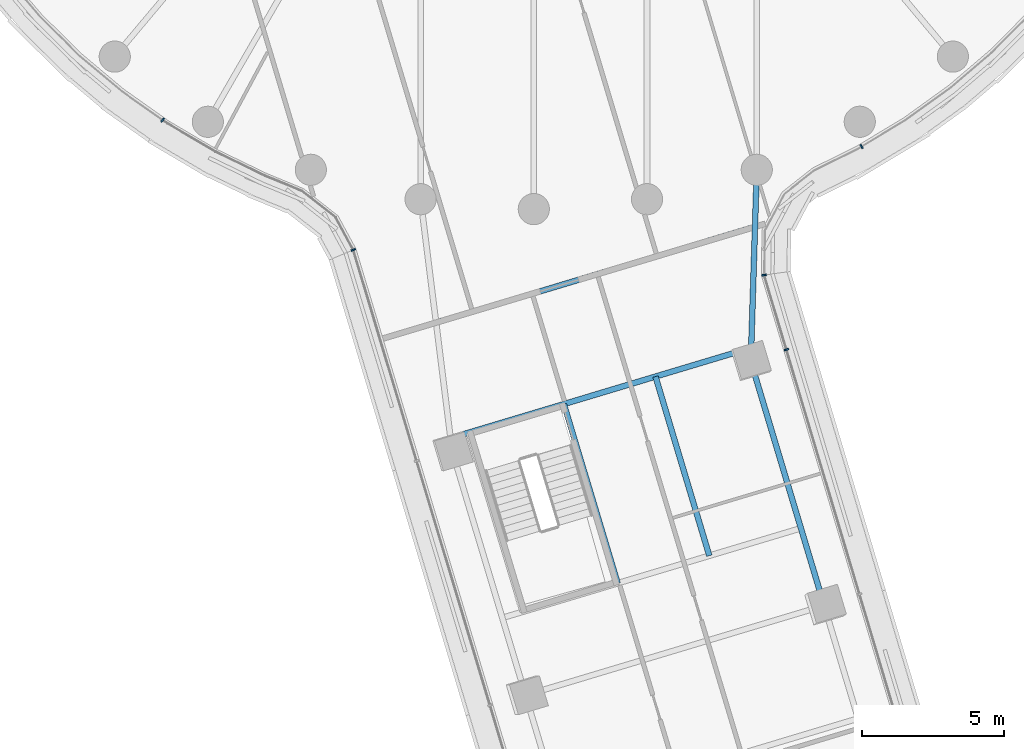
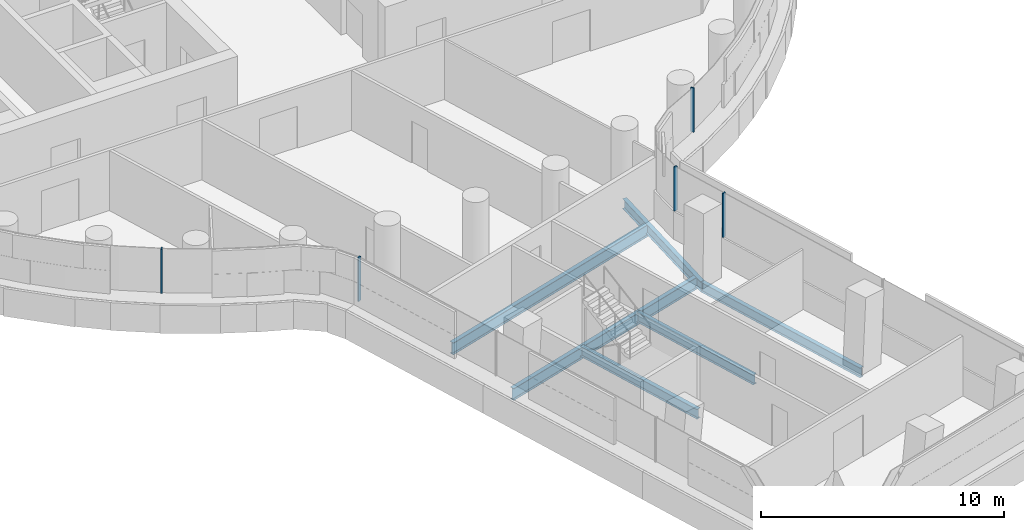
# One storey, part 3 of 32: 6 beams, 5 members, 4 elements without a shape of their own.
"""IFC4 building model written with IfcOpenShell, lengths in metres."""

from ifc_helpers import new_model, si_unit, direction, frame, origin, origin_2d, place, context, subcontext, project, spatial, rectangle, i_section, extrude, material, layer, layer_set, material_profile, profile_set, type_object, element, aggregate, save


model = new_model("IFC4")

# Units and contexts
model_context = context("Model", 3, precision=1e-05, world=origin(), true_north=direction((0.0, 1.0)))
body_context = subcontext(model_context, "Body", "Model", "MODEL_VIEW")
ifc_project = project(units=[si_unit("LENGTHUNIT", "METRE"), si_unit("AREAUNIT", "SQUARE_METRE"), si_unit("VOLUMEUNIT", "CUBIC_METRE"), si_unit("PLANEANGLEUNIT", "RADIAN"), si_unit("MASSUNIT", "GRAM", prefix="KILO")], contexts=[model_context])

# Site, building, storey
site_placement = place(None, origin())
site = spatial("IfcSite", under=ifc_project, at=site_placement, CompositionType="ELEMENT")
building_placement = place(site_placement, origin())
building = spatial("IfcBuilding", under=site, at=building_placement, Name="Tamarind Cross Interchange Tower", CompositionType="ELEMENT")
storey_placement = place(building_placement, frame((0.0, 0.0, 94.75)))
storey = spatial("IfcBuildingStorey", under=building, at=storey_placement, Name="L22", CompositionType="ELEMENT", Elevation=94.75)

# Beams
ifc_material_1 = material(Name="Steel Q355B", Category="steel")
ifc_material_profile_1 = material_profile(ifc_material_1, i_section(OverallWidth=0.198974609375, OverallDepth=0.49609375, WebThickness=0.009033203125, FlangeThickness=0.013916015625, FilletRadius=0.012939453125, at=origin_2d()), Name="HN 496x199x9x14")
ifc_profile_set_1 = profile_set([ifc_material_profile_1], Name="Steel Q355B")
beam_type_1 = type_object("IfcBeamType", Name="Composite beam HN 496x199x9x14 Q355B", PredefinedType="BEAM", material=ifc_profile_set_1)
beam_1_placement = place(storey_placement, frame((10.24365234375, -36.98681640625, -0.387939453125), z_axis=(-0.287626608604, 0.957742624103, 0.0), x_axis=(-0.957742624103, -0.287626608604, 0.0)))
element("IfcBeam", 1, at=beam_1_placement, inside=storey, type_object=beam_type_1, Name="Beam S-edgeep3", PredefinedType="BEAM", context=body_context, shape_type="SweptSolid", body=[
    extrude(i_section(OverallWidth=0.198974609375, OverallDepth=0.49609375, WebThickness=0.009033203125, FlangeThickness=0.013916015625, FilletRadius=0.012939453125, at=origin_2d()), origin(), (0.0, 0.0, 1.0), 9.0),
])
beam_2_placement = place(storey_placement, frame((7.655029296875, -28.3671875, -0.387939453125), z_axis=(0.031287765119, 0.999510418032, 0.0), x_axis=(-0.999510418032, 0.031287765119, 0.0)))
element("IfcBeam", 2, at=beam_2_placement, inside=storey, type_object=beam_type_1, Name="Beam S-linkep", PredefinedType="BEAM", context=body_context, shape_type="SweptSolid", body=[
    extrude(i_section(OverallWidth=0.198974609375, OverallDepth=0.49609375, WebThickness=0.009033203125, FlangeThickness=0.013916015625, FilletRadius=0.012939453125, at=origin_2d()), origin(), (0.0, 0.0, 1.0), 6.757568359375),
])
beam_3_placement = place(storey_placement, frame((1.060791015625, -29.877685546875, -0.387939453125), z_axis=(0.287632932095, -0.957740725027, 0.0), x_axis=(0.957740725027, 0.287632932095, 0.0)))
element("IfcBeam", 3, at=beam_3_placement, inside=storey, type_object=beam_type_1, Name="Beam S-tr1", PredefinedType="BEAM", context=body_context, shape_type="SweptSolid", body=[
    extrude(i_section(OverallWidth=0.198974609375, OverallDepth=0.49609375, WebThickness=0.009033203125, FlangeThickness=0.013916015625, FilletRadius=0.012939453125, at=origin_2d()), origin(), (0.0, 0.0, 1.0), 6.60009765625),
])
beam_4_placement = place(storey_placement, frame((4.293212890625, -28.906982421875, -0.387939453125), z_axis=(0.287643122316, -0.957737664595, 0.0), x_axis=(0.957737664595, 0.287643122316, 0.0)))
element("IfcBeam", 4, at=beam_4_placement, inside=storey, type_object=beam_type_1, Name="Beam S-stripp", PredefinedType="BEAM", context=body_context, shape_type="SweptSolid", body=[
    extrude(i_section(OverallWidth=0.198974609375, OverallDepth=0.49609375, WebThickness=0.009033203125, FlangeThickness=0.013916015625, FilletRadius=0.012939453125, at=origin_2d()), origin(), (0.0, 0.0, 1.0), 6.599853515625),
])
ifc_material_profile_2 = material_profile(ifc_material_1, i_section(OverallWidth=0.199951171875, OverallDepth=0.60009765625, WebThickness=0.010986328125, FlangeThickness=0.01708984375, FilletRadius=0.012939453125, at=origin_2d()), Name="HN 600x200x11x17")
ifc_profile_set_2 = profile_set([ifc_material_profile_2], Name="Steel Q355B")
beam_type_2 = type_object("IfcBeamType", Name="Composite beam HN 600x200x11x17 Q355B", PredefinedType="BEAM", material=ifc_profile_set_2)
beam_5_placement = place(storey_placement, frame((-2.93701171875, -31.078369140625, -0.43994140625), z_axis=(0.957740087073, 0.287635056303, 0.0), x_axis=(-0.287635056303, 0.957740087073, 0.0)))
element("IfcBeam", 5, at=beam_5_placement, inside=storey, type_object=beam_type_2, Name="Beam S-x298", PredefinedType="BEAM", context=body_context, shape_type="SweptSolid", body=[
    extrude(i_section(OverallWidth=0.199951171875, OverallDepth=0.60009765625, WebThickness=0.010986328125, FlangeThickness=0.01708984375, FilletRadius=0.012939453125, at=origin_2d()), origin(), (0.0, 0.0, 1.0), 11.074951171875),
])
beam_6_placement = place(storey_placement, frame((-3.447998046875, -27.003173828125, -0.43994140625), z_axis=(0.957739301981, 0.287637670414, 0.0), x_axis=(-0.287637670414, 0.957739301981, 0.0)))
element("IfcBeam", 6, at=beam_6_placement, inside=storey, type_object=beam_type_2, Name="Beam S-x258", PredefinedType="BEAM", context=body_context, shape_type="SweptSolid", body=[
    extrude(i_section(OverallWidth=0.199951171875, OverallDepth=0.60009765625, WebThickness=0.010986328125, FlangeThickness=0.01708984375, FilletRadius=0.012939453125, at=origin_2d()), origin(), (0.0, 0.0, 1.0), 11.748046875),
])

# Curtain wall, member
ifc_material_2 = material(Name="Aluminium 6063-T6", Category="aluminium")
ifc_layer = layer(ifc_material_2, 0.159912109375)
ifc_layer_set = layer_set([ifc_layer], Name="Aluminium 6063-T6")
curtain_wall_type = type_object("IfcCurtainWallType", Name="Office curtain wall, 9.0 m bays", PredefinedType="NOTDEFINED", material=ifc_layer_set)
curtain_wall_1_placement = place(storey_placement, origin())
curtain_wall_1 = element("IfcCurtainWall", 7, at=curtain_wall_1_placement, inside=storey, type_object=curtain_wall_type, Name="CWS-L22-06", PredefinedType="NOTDEFINED")
ifc_material_profile_3 = material_profile(ifc_material_2, rectangle(XDim=0.06005859375, YDim=0.159912109375, at=origin_2d()), Name="Mullion CW1")
ifc_profile_set_3 = profile_set([ifc_material_profile_3], Name="Aluminium 6063-T6")
member_type = type_object("IfcMemberType", Name="Mullion CW1", PredefinedType="MULLION", material=ifc_profile_set_3)
member_1_placement = place(storey_placement, frame((-13.09716796875, -19.858154296875, 1.39990234375), z_axis=(0.0, 0.0, 1.0), x_axis=(0.816341886298, -0.577568978284, 0.0)))
member_1 = element("IfcMember", 8, at=member_1_placement, type_object=member_type, Name="CWM-L22-06-02", PredefinedType="MULLION", context=body_context, shape_type="SweptSolid", body=[
    extrude(rectangle(XDim=0.06005859375, YDim=0.159912109375, at=origin_2d()), origin(), (0.0, 0.0, 1.0), 2.210205078125),
])
aggregate(curtain_wall_1, [member_1])

curtain_wall_2_placement = place(storey_placement, origin())
curtain_wall_2 = element("IfcCurtainWall", 9, at=curtain_wall_2_placement, inside=storey, type_object=curtain_wall_type, Name="CWS-L22-07", PredefinedType="NOTDEFINED")
member_2_placement = place(storey_placement, frame((-6.367919921875, -24.43798828125, 1.39990234375), z_axis=(0.0, 0.0, 1.0), x_axis=(0.384607398011, -0.923080250788, 0.0)))
member_2 = element("IfcMember", 10, at=member_2_placement, type_object=member_type, Name="CWM-L22-07-00", PredefinedType="MULLION", context=body_context, shape_type="SweptSolid", body=[
    extrude(rectangle(XDim=0.06005859375, YDim=0.159912109375, at=origin_2d()), origin(), (0.0, 0.0, 1.0), 2.210205078125),
])
aggregate(curtain_wall_2, [member_2])

curtain_wall_3_placement = place(storey_placement, origin())
curtain_wall_3 = element("IfcCurtainWall", 11, at=curtain_wall_3_placement, inside=storey, type_object=curtain_wall_type, Name="CWS-L22-09", PredefinedType="NOTDEFINED")
member_3_placement = place(storey_placement, frame((8.913818359375, -27.957275390625, 1.39990234375), z_axis=(0.0, 0.0, 1.0), x_axis=(-0.286304452373, 0.958138695884, 0.0)))
member_3 = element("IfcMember", 12, at=member_3_placement, type_object=member_type, Name="CWM-L22-09-02", PredefinedType="MULLION", context=body_context, shape_type="SweptSolid", body=[
    extrude(rectangle(XDim=0.06005859375, YDim=0.159912109375, at=origin_2d()), origin(), (0.0, 0.0, 1.0), 2.210205078125),
])
aggregate(curtain_wall_3, [member_3])

# Curtain wall, members
curtain_wall_4_placement = place(storey_placement, origin())
curtain_wall_4 = element("IfcCurtainWall", 13, at=curtain_wall_4_placement, inside=storey, type_object=curtain_wall_type, Name="CWS-L22-10", PredefinedType="NOTDEFINED")
member_4_placement = place(storey_placement, frame((8.12744140625, -25.3251953125, 1.39990234375), z_axis=(0.0, 0.0, 1.0), x_axis=(-0.137539992752, 0.990496214225, 0.0)))
member_4 = element("IfcMember", 14, at=member_4_placement, type_object=member_type, Name="CWM-L22-10-00", PredefinedType="MULLION", context=body_context, shape_type="SweptSolid", body=[
    extrude(rectangle(XDim=0.06005859375, YDim=0.159912109375, at=origin_2d()), origin(), (0.0, 0.0, 1.0), 2.210205078125),
])
member_5_placement = place(storey_placement, frame((11.561767578125, -20.790771484375, 1.39990234375), z_axis=(0.0, 0.0, 1.0), x_axis=(0.856843065292, 0.515577308909, 0.0)))
member_5 = element("IfcMember", 15, at=member_5_placement, type_object=member_type, Name="CWM-L22-10-01", PredefinedType="MULLION", context=body_context, shape_type="SweptSolid", body=[
    extrude(rectangle(XDim=0.06005859375, YDim=0.159912109375, at=origin_2d()), origin(), (0.0, 0.0, 1.0), 2.210205078125),
])
aggregate(curtain_wall_4, [member_4, member_5])

save(model, "model.ifc")
